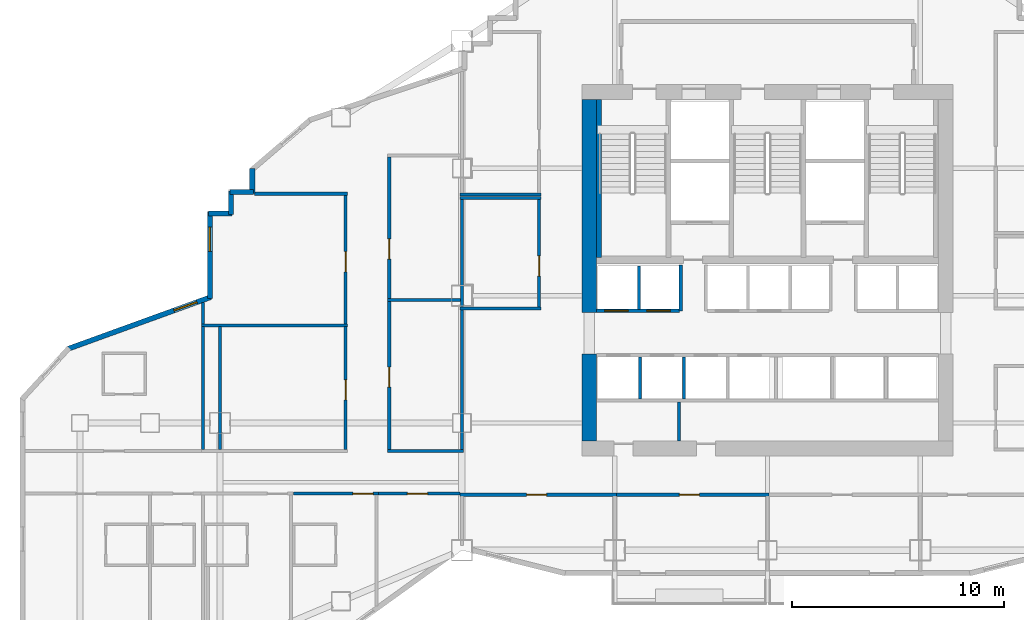
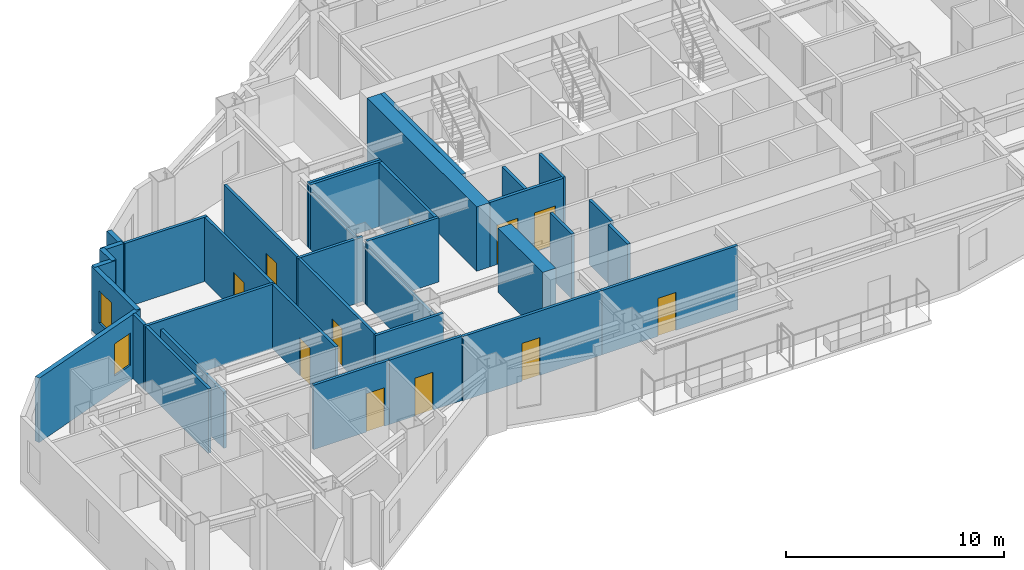
# One storey, part 6 of 14: 36 walls, 11 doors, 2 windows, 13 openings.
"""IFC4 building model written with IfcOpenShell, lengths in metres."""

from ifc_helpers import new_model, si_unit, direction, frame, frame_2d, origin, place, context, subcontext, project, spatial, rectangle, extrude, material, layer, layer_set, type_object, element, fill, save


model = new_model("IFC4")

# Units and contexts
model_context = context("Model", 3, precision=1e-05, world=origin(), true_north=direction((0.0, 1.0)))
body_context = subcontext(model_context, "Body", "Model", "MODEL_VIEW")
ifc_project = project(units=[si_unit("LENGTHUNIT", "METRE"), si_unit("AREAUNIT", "SQUARE_METRE"), si_unit("VOLUMEUNIT", "CUBIC_METRE"), si_unit("PLANEANGLEUNIT", "RADIAN"), si_unit("MASSUNIT", "GRAM", prefix="KILO")], contexts=[model_context])

# Site, building, storey
site_placement = place(None, origin())
site = spatial("IfcSite", under=ifc_project, at=site_placement, CompositionType="ELEMENT")
building_placement = place(site_placement, origin())
building = spatial("IfcBuilding", under=site, at=building_placement, Name="Haolan Belvedere Tower", CompositionType="ELEMENT")
storey_placement = place(building_placement, frame((0.0, 0.0, 98.39990234375)))
storey = spatial("IfcBuildingStorey", under=building, at=storey_placement, Name="L24", CompositionType="ELEMENT", Elevation=98.39990234375)

# Walls
ifc_material_1 = material(Name="Concrete C60/75", Category="concrete")
ifc_layer_1 = layer(ifc_material_1, 0.699951171875, Name="Concrete C60/75")
ifc_layer_set_1 = layer_set([ifc_layer_1], Name="Concrete C60/75")
wall_type_1 = type_object("IfcWallType", Name="WL-CORE-700", PredefinedType="SHEAR", material=ifc_layer_set_1)
wall_1_placement = place(storey_placement, frame((30.0, 26.75, 0.0), z_axis=(0.0, 0.0, 1.0), x_axis=(0.0, 1.0, 0.0)))
element("IfcWall", 1, at=wall_1_placement, inside=storey, type_object=wall_type_1, Name="L24 central core shear wall WS", PredefinedType="SHEAR", context=body_context, shape_type="SweptSolid", body=[
    extrude(rectangle(XDim=4.10009765625, YDim=0.699951171875, at=frame_2d((2.050048828125, 0.0))), origin(), (0.0, 0.0, 1.0), 3.60009765625),
])
wall_2_placement = place(storey_placement, frame((30.0, 32.800048828125, 0.0), z_axis=(0.0, 0.0, 1.0), x_axis=(0.0, 1.0, 0.0)))
element("IfcWall", 2, at=wall_2_placement, inside=storey, type_object=wall_type_1, Name="L24 central core shear wall WN", PredefinedType="SHEAR", context=body_context, shape_type="SweptSolid", body=[
    extrude(rectangle(XDim=10.050048828125, YDim=0.699951171875, at=frame_2d((5.02490234375, 0.0))), origin(), (0.0, 0.0, 1.0), 3.60009765625),
])
ifc_material_2 = material(Name="Precast concrete C40/50", Category="concrete")
ifc_layer_2 = layer(ifc_material_2, 0.239990234375, Name="Precast concrete C40/50")
ifc_layer_set_2 = layer_set([ifc_layer_2], Name="Precast concrete C40/50")
wall_type_2 = type_object("IfcWallType", Name="WL-EXT-240", PredefinedType="SOLIDWALL", material=ifc_layer_set_2)
wall_3_placement = place(storey_placement, frame((14.1201171875, 39.599853515625, 0.0), z_axis=(0.0, 0.0, 1.0), x_axis=(0.0, -1.0, 0.0)))
element("IfcWall", 3, at=wall_3_placement, inside=storey, type_object=wall_type_2, Name="L24 pale-metal exterior spandrel wall 37.1", PredefinedType="SOLIDWALL", context=body_context, shape_type="SweptSolid", body=[
    extrude(rectangle(XDim=1.1748046875, YDim=0.239990234375, at=frame_2d((0.58740234375, 0.0))), origin(), (0.0, 0.0, 1.0), 3.60009765625),
])
wall_4_placement = place(storey_placement, frame((14.175048828125, 38.47998046875, 0.0), z_axis=(0.0, 0.0, 1.0), x_axis=(-1.0, 0.0, 0.0)))
element("IfcWall", 4, at=wall_4_placement, inside=storey, type_object=wall_type_2, Name="L24 pale-metal exterior spandrel wall 38.1", PredefinedType="SOLIDWALL", context=body_context, shape_type="SweptSolid", body=[
    extrude(rectangle(XDim=1.110107421875, YDim=0.239990234375, at=frame_2d((0.55517578125, 0.0))), origin(), (0.0, 0.0, 1.0), 3.60009765625),
])
wall_5_placement = place(storey_placement, frame((13.1201171875, 38.534912109375, 0.0), z_axis=(0.0, 0.0, 1.0), x_axis=(0.0, -1.0, 0.0)))
element("IfcWall", 5, at=wall_5_placement, inside=storey, type_object=wall_type_2, Name="L24 pale-metal exterior spandrel wall 39.1", PredefinedType="SOLIDWALL", context=body_context, shape_type="SweptSolid", body=[
    extrude(rectangle(XDim=1.10986328125, YDim=0.239990234375, at=frame_2d((0.554931640625, 0.0))), origin(), (0.0, 0.0, 1.0), 3.60009765625),
])
wall_6_placement = place(storey_placement, frame((13.175048828125, 37.47998046875, 0.0), z_axis=(0.0, 0.0, 1.0), x_axis=(-1.0, 0.0, 0.0)))
element("IfcWall", 6, at=wall_6_placement, inside=storey, type_object=wall_type_2, Name="L24 pale-metal exterior spandrel wall 40.1", PredefinedType="SOLIDWALL", context=body_context, shape_type="SweptSolid", body=[
    extrude(rectangle(XDim=1.110107421875, YDim=0.239990234375, at=frame_2d((0.55517578125, 0.0))), origin(), (0.0, 0.0, 1.0), 3.60009765625),
])

# Wall, opening, window
wall_7_placement = place(storey_placement, frame((12.1201171875, 37.534912109375, 0.0), z_axis=(0.0, 0.0, 1.0), x_axis=(0.0, -1.0, 0.0)))
wall_7 = element("IfcWall", 7, at=wall_7_placement, inside=storey, type_object=wall_type_2, Name="L24 pale-metal exterior spandrel wall 41.1", PredefinedType="SOLIDWALL", context=body_context, shape_type="SweptSolid", body=[
    extrude(rectangle(XDim=4.073974609375, YDim=0.239990234375, at=frame_2d((2.037109375, 0.0))), origin(), (0.0, 0.0, 1.0), 3.60009765625),
])
opening_1_placement = place(wall_7_placement, frame((0.699951171875, 0.0, 0.85009765625)))
opening_1 = element("IfcOpeningElement", 8, at=opening_1_placement, cuts=wall_7, Name="Opening W-02", PredefinedType="OPENING", context=body_context, shape_type="SweptSolid", body=[
    extrude(rectangle(XDim=1.14990234375, YDim=1.800048828125, at=frame_2d((0.574951171875, 0.89990234375))), frame((0.0, 0.1298828125, 0.0), z_axis=(0.0, -1.0, 0.0), x_axis=(1.0, 0.0, 0.0)), (0.0, 0.0, 1.0), 0.260009765625),
])
ifc_material_3 = material(Name="Anodised aluminium 6063-T6 and Low-E glass", Category="aluminium")
window_type = type_object("IfcWindowType", Name="WN-DECO-Z2", PartitioningType="SINGLE_PANEL", PredefinedType="WINDOW", material=ifc_material_3)
window_1_placement = place(opening_1_placement, origin())
window_1 = element("IfcWindow", 9, at=window_1_placement, inside=storey, type_object=window_type, Name="L24 Art Deco chevron window 1", OverallHeight=1.800048828125, OverallWidth=1.14990234375, PartitioningType="SINGLE_PANEL", PredefinedType="WINDOW", context=body_context, shape_type="SweptSolid", body=[
    extrude(rectangle(XDim=1.14990234375, YDim=1.800048828125, at=frame_2d((0.574951171875, 0.89990234375))), frame((0.0, 0.030029296875, 0.0), z_axis=(0.0, -1.0, 0.0), x_axis=(1.0, 0.0, 0.0)), (0.0, 0.0, 1.0), 0.06005859375),
])
fill(opening_1, window_1)

wall_8_placement = place(storey_placement, frame((12.171630859375, 33.53466796875, 0.0), z_axis=(0.0, 0.0, 1.0), x_axis=(-0.940125345433, -0.340828893836, 0.0)))
wall_8 = element("IfcWall", 10, at=wall_8_placement, inside=storey, type_object=wall_type_2, Name="L24 pale-metal exterior spandrel wall 42.1", PredefinedType="SOLIDWALL", context=body_context, shape_type="SweptSolid", body=[
    extrude(rectangle(XDim=7.2060546875, YDim=0.239990234375, at=frame_2d((3.60302734375, 0.0))), origin(), (0.0, 0.0, 1.0), 3.60009765625),
])
opening_2_placement = place(wall_8_placement, frame((0.699951171875, 0.0, 0.85009765625)))
opening_2 = element("IfcOpeningElement", 11, at=opening_2_placement, cuts=wall_8, Name="Opening W-02", PredefinedType="OPENING", context=body_context, shape_type="SweptSolid", body=[
    extrude(rectangle(XDim=1.14990234375, YDim=1.800048828125, at=frame_2d((0.574951171875, 0.89990234375))), frame((0.0, 0.1298828125, 0.0), z_axis=(0.0, -1.0, 0.0), x_axis=(1.0, 0.0, 0.0)), (0.0, 0.0, 1.0), 0.260009765625),
])
window_2_placement = place(opening_2_placement, origin())
window_2 = element("IfcWindow", 12, at=window_2_placement, inside=storey, type_object=window_type, Name="L24 Art Deco chevron window 1", OverallHeight=1.800048828125, OverallWidth=1.14990234375, PartitioningType="SINGLE_PANEL", PredefinedType="WINDOW", context=body_context, shape_type="SweptSolid", body=[
    extrude(rectangle(XDim=1.14990234375, YDim=1.800048828125, at=frame_2d((0.574951171875, 0.89990234375))), frame((0.0, 0.030029296875, 0.0), z_axis=(0.0, -1.0, 0.0), x_axis=(1.0, 0.0, 0.0)), (0.0, 0.0, 1.0), 0.06005859375),
])
fill(opening_2, window_2)

# Walls
ifc_material_4 = material(Name="Double gypsum acoustic stud partition", Category="masonry")
ifc_layer_3 = layer(ifc_material_4, 0.14990234375, Name="Double gypsum acoustic stud partition")
ifc_layer_set_3 = layer_set([ifc_layer_3], Name="Double gypsum acoustic stud partition")
wall_type_3 = type_object("IfcWallType", Name="WL-PART-150", PredefinedType="PARTITIONING", material=ifc_layer_set_3)
wall_9_placement = place(storey_placement, frame((34.22998046875, 26.760009765625, 0.0), z_axis=(0.0, 0.0, 1.0), x_axis=(0.0, 1.0, 0.0)))
element("IfcWall", 13, at=wall_9_placement, inside=storey, type_object=wall_type_3, Name="L24 interior partition IW-L24-SCV-DIV-1", PredefinedType="PARTITIONING", context=body_context, shape_type="SweptSolid", body=[
    extrude(rectangle(XDim=1.820068359375, YDim=0.14990234375, at=frame_2d((0.91015625, 0.0))), origin(), (0.0, 0.0, 1.0), 3.60009765625),
])
for number, where, z_axis, x_axis, name in (
    (14, (23.919921875, 38.199951171875, 0.0), (0.0, 0.0, 1.0), (1.0, 0.0, 0.0), "L24 interior partition IW-L24-HSK-N"),
    (15, (23.919921875, 33.0, 0.0), (0.0, 0.0, 1.0), (1.0, 0.0, 0.0), "L24 interior partition IW-L24-HSK-S"),
):
    element("IfcWall", number, at=place(storey_placement, frame(where, z_axis=z_axis, x_axis=x_axis)), inside=storey, type_object=wall_type_3, Name=name, PredefinedType="PARTITIONING", context=body_context, shape_type="SweptSolid", body=[
        extrude(rectangle(XDim=3.800048828125, YDim=0.14990234375, at=frame_2d((1.89990234375, 0.0))), origin(), (0.0, 0.0, 1.0), 3.60009765625),
    ])
wall_10_placement = place(storey_placement, frame((24.0, 33.06005859375, 0.0), z_axis=(0.0, 0.0, 1.0), x_axis=(0.0, 1.0, 0.0)))
element("IfcWall", 16, at=wall_10_placement, inside=storey, type_object=wall_type_3, Name="L24 interior partition IW-L24-HSK-W", PredefinedType="PARTITIONING", context=body_context, shape_type="SweptSolid", body=[
    extrude(rectangle(XDim=5.079833984375, YDim=0.14990234375, at=frame_2d((2.5400390625, 0.0))), origin(), (0.0, 0.0, 1.0), 3.14501953125),
])

# Wall, opening, door
wall_11_placement = place(storey_placement, frame((27.639892578125, 33.06005859375, 0.0), z_axis=(0.0, 0.0, 1.0), x_axis=(0.0, 1.0, 0.0)))
wall_11 = element("IfcWall", 17, at=wall_11_placement, inside=storey, type_object=wall_type_3, Name="L24 interior partition IW-L24-HSK-E", PredefinedType="PARTITIONING", context=body_context, shape_type="SweptSolid", body=[
    extrude(rectangle(XDim=5.079833984375, YDim=0.14990234375, at=frame_2d((2.5400390625, 0.0))), origin(), (0.0, 0.0, 1.0), 3.60009765625),
])
opening_3_placement = place(wall_11_placement, frame((2.409912109375, 0.0, 0.0), z_axis=(0.0, 0.0, 1.0), x_axis=(-1.0, 0.0, 0.0)))
opening_3 = element("IfcOpeningElement", 18, at=opening_3_placement, cuts=wall_11, Name="Opening ID-03", PredefinedType="OPENING", context=body_context, shape_type="SweptSolid", body=[
    extrude(rectangle(XDim=0.949951171875, YDim=2.1201171875, at=frame_2d((0.47509765625, 1.06005859375))), frame((0.0, 0.0849609375, 0.0), z_axis=(0.0, -1.0, 0.0), x_axis=(1.0, 0.0, 0.0)), (0.0, 0.0, 1.0), 0.169921875),
])
ifc_material_5 = material(Name="Painted solid-core timber", Category="wood")
door_type_1 = type_object("IfcDoorType", Name="DR-INT-950", OperationType="NOTDEFINED", PredefinedType="DOOR", material=ifc_material_5)
door_1_placement = place(opening_3_placement, origin())
door_1 = element("IfcDoor", 19, at=door_1_placement, inside=storey, type_object=door_type_1, Name="L24 door ID-L24-HSK", OperationType="SINGLE_SWING_LEFT", OverallHeight=2.1201171875, OverallWidth=0.949951171875, PredefinedType="DOOR", context=body_context, shape_type="SweptSolid", body=[
    extrude(rectangle(XDim=0.949951171875, YDim=2.1201171875, at=frame_2d((0.47509765625, 1.06005859375))), frame((0.0, 0.02490234375, 0.0), z_axis=(0.0, -1.0, 0.0), x_axis=(1.0, 0.0, 0.0)), (0.0, 0.0, 1.0), 0.050048828125),
])
fill(opening_3, door_1)

# Wall
wall_12_placement = place(storey_placement, frame((23.919921875, 38.360107421875, 0.0), z_axis=(0.0, 0.0, 1.0), x_axis=(1.0, 0.0, 0.0)))
element("IfcWall", 20, at=wall_12_placement, inside=storey, type_object=wall_type_3, Name="L24 interior partition IW-L24-VLT-S", PredefinedType="PARTITIONING", context=body_context, shape_type="SweptSolid", body=[
    extrude(rectangle(XDim=3.800048828125, YDim=0.14990234375, at=frame_2d((1.89990234375, 0.0))), origin(), (0.0, 0.0, 1.0), 3.60009765625),
])

# Wall, opening, door
wall_13_placement = place(storey_placement, frame((23.919921875, 24.219970703125, 0.0), z_axis=(0.0, 0.0, 1.0), x_axis=(1.0, 0.0, 0.0)))
wall_13 = element("IfcWall", 21, at=wall_13_placement, inside=storey, type_object=wall_type_3, Name="L24 interior partition IW-L24-KS1-N", PredefinedType="PARTITIONING", context=body_context, shape_type="SweptSolid", body=[
    extrude(rectangle(XDim=7.360107421875, YDim=0.14990234375, at=frame_2d((3.68017578125, 0.0))), origin(), (0.0, 0.0, 1.0), 3.60009765625),
])
opening_4_placement = place(wall_13_placement, frame((4.074951171875, 0.0, 0.0), z_axis=(0.0, 0.0, 1.0), x_axis=(-1.0, 0.0, 0.0)))
opening_4 = element("IfcOpeningElement", 22, at=opening_4_placement, cuts=wall_13, Name="Opening ID-03", PredefinedType="OPENING", context=body_context, shape_type="SweptSolid", body=[
    extrude(rectangle(XDim=0.949951171875, YDim=2.1201171875, at=frame_2d((0.47509765625, 1.06005859375))), frame((0.0, 0.0849609375, 0.0), z_axis=(0.0, -1.0, 0.0), x_axis=(1.0, 0.0, 0.0)), (0.0, 0.0, 1.0), 0.169921875),
])
door_2_placement = place(opening_4_placement, origin())
door_2 = element("IfcDoor", 23, at=door_2_placement, inside=storey, type_object=door_type_1, Name="L24 door ID-L24-KS1", OperationType="SINGLE_SWING_RIGHT", OverallHeight=2.1201171875, OverallWidth=0.949951171875, PredefinedType="DOOR", context=body_context, shape_type="SweptSolid", body=[
    extrude(rectangle(XDim=0.949951171875, YDim=2.1201171875, at=frame_2d((0.47509765625, 1.06005859375))), frame((0.0, 0.02490234375, 0.0), z_axis=(0.0, -1.0, 0.0), x_axis=(1.0, 0.0, 0.0)), (0.0, 0.0, 1.0), 0.050048828125),
])
fill(opening_4, door_2)

wall_14_placement = place(storey_placement, frame((31.281982421875, 24.219970703125, 0.0), z_axis=(0.0, 0.0, 1.0), x_axis=(1.0, 0.0, 0.0)))
wall_14 = element("IfcWall", 24, at=wall_14_placement, inside=storey, type_object=wall_type_3, Name="L24 interior partition IW-L24-KS2-N", PredefinedType="PARTITIONING", context=body_context, shape_type="SweptSolid", body=[
    extrude(rectangle(XDim=7.197998046875, YDim=0.14990234375, at=frame_2d((3.59912109375, 0.0))), origin(), (0.0, 0.0, 1.0), 3.60009765625),
])
opening_5_placement = place(wall_14_placement, frame((3.912841796875, 0.0, 0.0), z_axis=(0.0, 0.0, 1.0), x_axis=(-1.0, 0.0, 0.0)))
opening_5 = element("IfcOpeningElement", 25, at=opening_5_placement, cuts=wall_14, Name="Opening ID-03", PredefinedType="OPENING", context=body_context, shape_type="SweptSolid", body=[
    extrude(rectangle(XDim=0.949951171875, YDim=2.1201171875, at=frame_2d((0.47509765625, 1.06005859375))), frame((0.0, 0.0849609375, 0.0), z_axis=(0.0, -1.0, 0.0), x_axis=(1.0, 0.0, 0.0)), (0.0, 0.0, 1.0), 0.169921875),
])
door_3_placement = place(opening_5_placement, origin())
door_3 = element("IfcDoor", 26, at=door_3_placement, inside=storey, type_object=door_type_1, Name="L24 door ID-L24-KS2", OperationType="SINGLE_SWING_LEFT", OverallHeight=2.1201171875, OverallWidth=0.949951171875, PredefinedType="DOOR", context=body_context, shape_type="SweptSolid", body=[
    extrude(rectangle(XDim=0.949951171875, YDim=2.1201171875, at=frame_2d((0.47509765625, 1.06005859375))), frame((0.0, 0.02490234375, 0.0), z_axis=(0.0, -1.0, 0.0), x_axis=(1.0, 0.0, 0.0)), (0.0, 0.0, 1.0), 0.050048828125),
])
fill(opening_5, door_3)

# Walls
wall_15_placement = place(storey_placement, frame((11.719970703125, 32.199951171875, 0.0), z_axis=(0.0, 0.0, 1.0), x_axis=(1.0, 0.0, 0.0)))
element("IfcWall", 27, at=wall_15_placement, inside=storey, type_object=wall_type_3, Name="L24 interior partition IW-L24-T2W1-N", PredefinedType="PARTITIONING", context=body_context, shape_type="SweptSolid", body=[
    extrude(rectangle(XDim=6.880126953125, YDim=0.14990234375, at=frame_2d((3.43994140625, 0.0))), origin(), (0.0, 0.0, 1.0), 3.60009765625),
])
wall_16_placement = place(storey_placement, frame((11.800048828125, 26.340087890625, 0.0), z_axis=(0.0, 0.0, 1.0), x_axis=(0.0, 1.0, 0.0)))
element("IfcWall", 28, at=wall_16_placement, inside=storey, type_object=wall_type_3, Name="L24 interior partition IW-L24-T2W1-W", PredefinedType="PARTITIONING", context=body_context, shape_type="SweptSolid", body=[
    extrude(rectangle(XDim=5.7998046875, YDim=0.14990234375, at=frame_2d((2.89990234375, 0.0))), origin(), (0.0, 0.0, 1.0), 3.60009765625),
])

# Wall, opening, door
wall_17_placement = place(storey_placement, frame((18.52001953125, 26.340087890625, 0.0), z_axis=(0.0, 0.0, 1.0), x_axis=(0.0, 1.0, 0.0)))
wall_17 = element("IfcWall", 29, at=wall_17_placement, inside=storey, type_object=wall_type_3, Name="L24 interior partition IW-L24-T2W1-E", PredefinedType="PARTITIONING", context=body_context, shape_type="SweptSolid", body=[
    extrude(rectangle(XDim=5.7998046875, YDim=0.14990234375, at=frame_2d((2.89990234375, 0.0))), origin(), (0.0, 0.0, 1.0), 3.60009765625),
])
opening_6_placement = place(wall_17_placement, frame((3.294921875, 0.0, 0.0), z_axis=(0.0, 0.0, 1.0), x_axis=(-1.0, 0.0, 0.0)))
opening_6 = element("IfcOpeningElement", 30, at=opening_6_placement, cuts=wall_17, Name="Opening ID-03", PredefinedType="OPENING", context=body_context, shape_type="SweptSolid", body=[
    extrude(rectangle(XDim=0.949951171875, YDim=2.1201171875, at=frame_2d((0.47509765625, 1.06005859375))), frame((0.0, 0.0849609375, 0.0), z_axis=(0.0, -1.0, 0.0), x_axis=(1.0, 0.0, 0.0)), (0.0, 0.0, 1.0), 0.169921875),
])
door_4_placement = place(opening_6_placement, origin())
door_4 = element("IfcDoor", 31, at=door_4_placement, inside=storey, type_object=door_type_1, Name="L24 door ID-L24-T2W1", OperationType="SINGLE_SWING_RIGHT", OverallHeight=2.1201171875, OverallWidth=0.949951171875, PredefinedType="DOOR", context=body_context, shape_type="SweptSolid", body=[
    extrude(rectangle(XDim=0.949951171875, YDim=2.1201171875, at=frame_2d((0.47509765625, 1.06005859375))), frame((0.0, 0.02490234375, 0.0), z_axis=(0.0, -1.0, 0.0), x_axis=(1.0, 0.0, 0.0)), (0.0, 0.0, 1.0), 0.050048828125),
])
fill(opening_6, door_4)

# Walls
wall_18_placement = place(storey_placement, frame((14.22509765625, 38.39990234375, 0.0), z_axis=(0.0, 0.0, 1.0), x_axis=(1.0, 0.0, 0.0)))
element("IfcWall", 32, at=wall_18_placement, inside=storey, type_object=wall_type_3, Name="L24 interior partition IW-L24-T2W2-N", PredefinedType="PARTITIONING", context=body_context, shape_type="SweptSolid", body=[
    extrude(rectangle(XDim=4.375, YDim=0.14990234375, at=frame_2d((2.1875, 0.0))), origin(), (0.0, 0.0, 1.0), 3.60009765625),
])
wall_19_placement = place(storey_placement, frame((11.800048828125, 32.260009765625, 0.0), z_axis=(0.0, 0.0, 1.0), x_axis=(0.0, 1.0, 0.0)))
element("IfcWall", 33, at=wall_19_placement, inside=storey, type_object=wall_type_3, Name="L24 interior partition IW-L24-T2W2-W", PredefinedType="PARTITIONING", context=body_context, shape_type="SweptSolid", body=[
    extrude(rectangle(XDim=1.028076171875, YDim=0.14990234375, at=frame_2d((0.51416015625, 0.0))), origin(), (0.0, 0.0, 1.0), 3.60009765625),
])

# Wall, opening, door
wall_20_placement = place(storey_placement, frame((18.52001953125, 32.260009765625, 0.0), z_axis=(0.0, 0.0, 1.0), x_axis=(0.0, 1.0, 0.0)))
wall_20 = element("IfcWall", 34, at=wall_20_placement, inside=storey, type_object=wall_type_3, Name="L24 interior partition IW-L24-T2W2-E", PredefinedType="PARTITIONING", context=body_context, shape_type="SweptSolid", body=[
    extrude(rectangle(XDim=6.080078125, YDim=0.14990234375, at=frame_2d((3.0400390625, 0.0))), origin(), (0.0, 0.0, 1.0), 3.60009765625),
])
opening_7_placement = place(wall_20_placement, frame((3.4150390625, 0.0, 0.0), z_axis=(0.0, 0.0, 1.0), x_axis=(-1.0, 0.0, 0.0)))
opening_7 = element("IfcOpeningElement", 35, at=opening_7_placement, cuts=wall_20, Name="Opening ID-03", PredefinedType="OPENING", context=body_context, shape_type="SweptSolid", body=[
    extrude(rectangle(XDim=0.949951171875, YDim=2.1201171875, at=frame_2d((0.47509765625, 1.06005859375))), frame((0.0, 0.0849609375, 0.0), z_axis=(0.0, -1.0, 0.0), x_axis=(1.0, 0.0, 0.0)), (0.0, 0.0, 1.0), 0.169921875),
])
door_5_placement = place(opening_7_placement, origin())
door_5 = element("IfcDoor", 36, at=door_5_placement, inside=storey, type_object=door_type_1, Name="L24 door ID-L24-T2W2", OperationType="SINGLE_SWING_LEFT", OverallHeight=2.1201171875, OverallWidth=0.949951171875, PredefinedType="DOOR", context=body_context, shape_type="SweptSolid", body=[
    extrude(rectangle(XDim=0.949951171875, YDim=2.1201171875, at=frame_2d((0.47509765625, 1.06005859375))), frame((0.0, 0.02490234375, 0.0), z_axis=(0.0, -1.0, 0.0), x_axis=(1.0, 0.0, 0.0)), (0.0, 0.0, 1.0), 0.050048828125),
])
fill(opening_7, door_5)

# Walls
wall_21_placement = place(storey_placement, frame((20.5, 33.39990234375, 0.0), z_axis=(0.0, 0.0, 1.0), x_axis=(1.0, 0.0, 0.0)))
element("IfcWall", 37, at=wall_21_placement, inside=storey, type_object=wall_type_3, Name="L24 interior partition IW-L24-T2E1-N", PredefinedType="PARTITIONING", context=body_context, shape_type="SweptSolid", body=[
    extrude(rectangle(XDim=3.43994140625, YDim=0.14990234375, at=frame_2d((1.719970703125, 0.0))), origin(), (0.0, 0.0, 1.0), 3.60009765625),
])
wall_22_placement = place(storey_placement, frame((20.5, 26.280029296875, 0.0), z_axis=(0.0, 0.0, 1.0), x_axis=(1.0, 0.0, 0.0)))
element("IfcWall", 38, at=wall_22_placement, inside=storey, type_object=wall_type_3, Name="L24 interior partition IW-L24-T2E1-S", PredefinedType="PARTITIONING", context=body_context, shape_type="SweptSolid", body=[
    extrude(rectangle(XDim=3.580078125, YDim=0.14990234375, at=frame_2d((1.7900390625, 0.0))), origin(), (0.0, 0.0, 1.0), 3.60009765625),
])

# Wall, opening, door
wall_23_placement = place(storey_placement, frame((20.580078125, 26.340087890625, 0.0), z_axis=(0.0, 0.0, 1.0), x_axis=(0.0, 1.0, 0.0)))
wall_23 = element("IfcWall", 39, at=wall_23_placement, inside=storey, type_object=wall_type_3, Name="L24 interior partition IW-L24-T2E1-W", PredefinedType="PARTITIONING", context=body_context, shape_type="SweptSolid", body=[
    extrude(rectangle(XDim=7.0, YDim=0.14990234375, at=frame_2d((3.5, 0.0))), origin(), (0.0, 0.0, 1.0), 3.60009765625),
])
opening_8_placement = place(wall_23_placement, frame((2.945068359375, 0.0, 0.0)))
opening_8 = element("IfcOpeningElement", 40, at=opening_8_placement, cuts=wall_23, Name="Opening ID-03", PredefinedType="OPENING", context=body_context, shape_type="SweptSolid", body=[
    extrude(rectangle(XDim=0.949951171875, YDim=2.1201171875, at=frame_2d((0.47509765625, 1.06005859375))), frame((0.0, 0.0849609375, 0.0), z_axis=(0.0, -1.0, 0.0), x_axis=(1.0, 0.0, 0.0)), (0.0, 0.0, 1.0), 0.169921875),
])
door_6_placement = place(opening_8_placement, origin())
door_6 = element("IfcDoor", 41, at=door_6_placement, inside=storey, type_object=door_type_1, Name="L24 door ID-L24-T2E1", OperationType="SINGLE_SWING_LEFT", OverallHeight=2.1201171875, OverallWidth=0.949951171875, PredefinedType="DOOR", context=body_context, shape_type="SweptSolid", body=[
    extrude(rectangle(XDim=0.949951171875, YDim=2.1201171875, at=frame_2d((0.47509765625, 1.06005859375))), frame((0.0, 0.02490234375, 0.0), z_axis=(0.0, -1.0, 0.0), x_axis=(1.0, 0.0, 0.0)), (0.0, 0.0, 1.0), 0.050048828125),
])
fill(opening_8, door_6)

# Wall
wall_24_placement = place(storey_placement, frame((24.0, 26.340087890625, 0.0), z_axis=(0.0, 0.0, 1.0), x_axis=(0.0, 1.0, 0.0)))
element("IfcWall", 42, at=wall_24_placement, inside=storey, type_object=wall_type_3, Name="L24 interior partition IW-L24-T2E1-E", PredefinedType="PARTITIONING", context=body_context, shape_type="SweptSolid", body=[
    extrude(rectangle(XDim=6.599853515625, YDim=0.14990234375, at=frame_2d((3.2998046875, 0.0))), origin(), (0.0, 0.0, 1.0), 3.14501953125),
])

# Wall, opening, door
wall_25_placement = place(storey_placement, frame((20.580078125, 33.4599609375, 0.0), z_axis=(0.0, 0.0, 1.0), x_axis=(0.0, 1.0, 0.0)))
wall_25 = element("IfcWall", 43, at=wall_25_placement, inside=storey, type_object=wall_type_3, Name="L24 interior partition IW-L24-T2E2-W", PredefinedType="PARTITIONING", context=body_context, shape_type="SweptSolid", body=[
    extrude(rectangle(XDim=6.679931640625, YDim=0.14990234375, at=frame_2d((3.33984375, 0.0))), origin(), (0.0, 0.0, 1.0), 3.60009765625),
])
opening_9_placement = place(wall_25_placement, frame((1.864990234375, 0.0, 0.0)))
opening_9 = element("IfcOpeningElement", 44, at=opening_9_placement, cuts=wall_25, Name="Opening ID-03", PredefinedType="OPENING", context=body_context, shape_type="SweptSolid", body=[
    extrude(rectangle(XDim=0.949951171875, YDim=2.1201171875, at=frame_2d((0.47509765625, 1.06005859375))), frame((0.0, 0.0849609375, 0.0), z_axis=(0.0, -1.0, 0.0), x_axis=(1.0, 0.0, 0.0)), (0.0, 0.0, 1.0), 0.169921875),
])
door_7_placement = place(opening_9_placement, origin())
door_7 = element("IfcDoor", 45, at=door_7_placement, inside=storey, type_object=door_type_1, Name="L24 door ID-L24-T2E2", OperationType="SINGLE_SWING_RIGHT", OverallHeight=2.1201171875, OverallWidth=0.949951171875, PredefinedType="DOOR", context=body_context, shape_type="SweptSolid", body=[
    extrude(rectangle(XDim=0.949951171875, YDim=2.1201171875, at=frame_2d((0.47509765625, 1.06005859375))), frame((0.0, 0.02490234375, 0.0), z_axis=(0.0, -1.0, 0.0), x_axis=(1.0, 0.0, 0.0)), (0.0, 0.0, 1.0), 0.050048828125),
])
fill(opening_9, door_7)

wall_26_placement = place(storey_placement, frame((16.052001953125, 24.27001953125, 0.0), z_axis=(0.0, 0.0, 1.0), x_axis=(1.0, 0.0, 0.0)))
wall_26 = element("IfcWall", 46, at=wall_26_placement, inside=storey, type_object=wall_type_3, Name="L24 interior partition IW-L24-T2S2-N", PredefinedType="PARTITIONING", context=body_context, shape_type="SweptSolid", body=[
    extrude(rectangle(XDim=4.01806640625, YDim=0.14990234375, at=frame_2d((2.009033203125, 0.0))), origin(), (0.0, 0.0, 1.0), 3.60009765625),
])
opening_10_placement = place(wall_26_placement, frame((3.759765625, 0.0, 0.0), z_axis=(0.0, 0.0, 1.0), x_axis=(-1.0, 0.0, 0.0)))
opening_10 = element("IfcOpeningElement", 47, at=opening_10_placement, cuts=wall_26, Name="Opening ID-02", PredefinedType="OPENING", context=body_context, shape_type="SweptSolid", body=[
    extrude(rectangle(XDim=0.949951171875, YDim=2.14990234375, at=frame_2d((0.47509765625, 1.074951171875))), frame((0.0, 0.0849609375, 0.0), z_axis=(0.0, -1.0, 0.0), x_axis=(1.0, 0.0, 0.0)), (0.0, 0.0, 1.0), 0.169921875),
])
ifc_material_6 = material(Name="Acoustic oak veneer fire-rated timber", Category="wood")
door_type_2 = type_object("IfcDoorType", Name="DR-GUEST-950", OperationType="NOTDEFINED", PredefinedType="DOOR", material=ifc_material_6)
door_8_placement = place(opening_10_placement, origin())
door_8 = element("IfcDoor", 48, at=door_8_placement, inside=storey, type_object=door_type_2, Name="L24 door ID-L24-T2S2-ENT", OperationType="SINGLE_SWING_RIGHT", OverallHeight=2.14990234375, OverallWidth=0.949951171875, PredefinedType="DOOR", context=body_context, shape_type="SweptSolid", body=[
    extrude(rectangle(XDim=0.949951171875, YDim=2.14990234375, at=frame_2d((0.47509765625, 1.074951171875))), frame((0.0, 0.02490234375, 0.0), z_axis=(0.0, -1.0, 0.0), x_axis=(1.0, 0.0, 0.0)), (0.0, 0.0, 1.0), 0.050048828125),
])
fill(opening_10, door_8)

wall_27_placement = place(storey_placement, frame((20.072021484375, 24.27001953125, 0.0), z_axis=(0.0, 0.0, 1.0), x_axis=(1.0, 0.0, 0.0)))
wall_27 = element("IfcWall", 49, at=wall_27_placement, inside=storey, type_object=wall_type_3, Name="L24 interior partition IW-L24-T2S3-N", PredefinedType="PARTITIONING", context=body_context, shape_type="SweptSolid", body=[
    extrude(rectangle(XDim=3.845947265625, YDim=0.14990234375, at=frame_2d((1.9228515625, 0.0))), origin(), (0.0, 0.0, 1.0), 3.60009765625),
])
opening_11_placement = place(wall_27_placement, frame((2.307861328125, 0.0, 0.0), z_axis=(0.0, 0.0, 1.0), x_axis=(-1.0, 0.0, 0.0)))
opening_11 = element("IfcOpeningElement", 50, at=opening_11_placement, cuts=wall_27, Name="Opening ID-03", PredefinedType="OPENING", context=body_context, shape_type="SweptSolid", body=[
    extrude(rectangle(XDim=0.949951171875, YDim=2.1201171875, at=frame_2d((0.47509765625, 1.06005859375))), frame((0.0, 0.0849609375, 0.0), z_axis=(0.0, -1.0, 0.0), x_axis=(1.0, 0.0, 0.0)), (0.0, 0.0, 1.0), 0.169921875),
])
door_9_placement = place(opening_11_placement, origin())
door_9 = element("IfcDoor", 51, at=door_9_placement, inside=storey, type_object=door_type_1, Name="L24 door ID-L24-T2S3", OperationType="SINGLE_SWING_LEFT", OverallHeight=2.1201171875, OverallWidth=0.949951171875, PredefinedType="DOOR", context=body_context, shape_type="SweptSolid", body=[
    extrude(rectangle(XDim=0.949951171875, YDim=2.1201171875, at=frame_2d((0.47509765625, 1.06005859375))), frame((0.0, 0.02490234375, 0.0), z_axis=(0.0, -1.0, 0.0), x_axis=(1.0, 0.0, 0.0)), (0.0, 0.0, 1.0), 0.050048828125),
])
fill(opening_11, door_9)

# Walls
wall_28_placement = place(storey_placement, frame((12.60009765625, 26.340087890625, 0.0), z_axis=(0.0, 0.0, 1.0), x_axis=(0.0, 1.0, 0.0)))
element("IfcWall", 52, at=wall_28_placement, inside=storey, type_object=wall_type_3, Name="L24 interior partition IW-L24-T1N1-E", PredefinedType="PARTITIONING", context=body_context, shape_type="SweptSolid", body=[
    extrude(rectangle(XDim=5.7998046875, YDim=0.14990234375, at=frame_2d((2.89990234375, 0.0))), origin(), (0.0, 0.0, 1.0), 3.14501953125),
])
ifc_material_7 = material(Name="Gypsum fire shaftwall assembly", Category="masonry")
ifc_layer_4 = layer(ifc_material_7, 0.1650390625, Name="Gypsum fire shaftwall assembly")
ifc_layer_set_4 = layer_set([ifc_layer_4], Name="Gypsum fire shaftwall assembly")
wall_type_4 = type_object("IfcWallType", Name="WL-SHAFT-160", PredefinedType="SOLIDWALL", material=ifc_layer_set_4)
wall_29_placement = place(storey_placement, frame((34.31005859375, 32.8798828125, 0.0), z_axis=(0.0, 0.0, 1.0), x_axis=(0.0, 1.0, 0.0)))
element("IfcWall", 53, at=wall_29_placement, inside=storey, type_object=wall_type_4, Name="L24 interior partition IW-L24-SVP-W-SV1", PredefinedType="SOLIDWALL", context=body_context, shape_type="SweptSolid", body=[
    extrude(rectangle(XDim=2.170166015625, YDim=0.14990234375, at=frame_2d((1.0849609375, 0.0))), origin(), (0.0, 0.0, 1.0), 3.60009765625),
])

# Wall, openings, doors
wall_30_placement = place(storey_placement, frame((30.35009765625, 32.8798828125, 0.0), z_axis=(0.0, 0.0, 1.0), x_axis=(1.0, 0.0, 0.0)))
wall_30 = element("IfcWall", 54, at=wall_30_placement, inside=storey, type_object=wall_type_4, Name="L24 interior partition IW-L24-ROW-PN1", PredefinedType="SOLIDWALL", context=body_context, shape_type="SweptSolid", body=[
    extrude(rectangle(XDim=3.89990234375, YDim=0.159912109375, at=frame_2d((1.949951171875, 0.0))), origin(), (0.0, 0.0, 1.0), 3.60009765625),
])
opening_12_placement = place(wall_30_placement, frame((1.47998046875, 0.0, 0.0), z_axis=(0.0, 0.0, 1.0), x_axis=(-1.0, 0.0, 0.0)))
opening_12 = element("IfcOpeningElement", 55, at=opening_12_placement, cuts=wall_30, Name="Opening LD-01", PredefinedType="OPENING", context=body_context, shape_type="SweptSolid", body=[
    extrude(rectangle(XDim=1.10009765625, YDim=2.199951171875, at=frame_2d((0.550048828125, 1.10009765625))), frame((0.0, 0.08984375, 0.0), z_axis=(0.0, -1.0, 0.0), x_axis=(1.0, 0.0, 0.0)), (0.0, 0.0, 1.0), 0.179931640625),
])
opening_13_placement = place(wall_30_placement, frame((3.47021484375, 0.0, 0.0), z_axis=(0.0, 0.0, 1.0), x_axis=(-1.0, 0.0, 0.0)))
opening_13 = element("IfcOpeningElement", 56, at=opening_13_placement, cuts=wall_30, Name="Opening LD-01", PredefinedType="OPENING", context=body_context, shape_type="SweptSolid", body=[
    extrude(rectangle(XDim=1.10009765625, YDim=2.199951171875, at=frame_2d((0.550048828125, 1.10009765625))), frame((0.0, 0.08984375, 0.0), z_axis=(0.0, -1.0, 0.0), x_axis=(1.0, 0.0, 0.0)), (0.0, 0.0, 1.0), 0.179931640625),
])
ifc_material_8 = material(Name="Brushed champagne stainless steel 316L", Category="steel")
door_type_3 = type_object("IfcDoorType", Name="DR-LIFT-1100", OperationType="SLIDING_TO_LEFT", PredefinedType="DOOR", material=ifc_material_8)
door_10_placement = place(opening_12_placement, origin())
door_10 = element("IfcDoor", 57, at=door_10_placement, inside=storey, type_object=door_type_3, Name="L24 door ID-L24-LD-PL1", OperationType="SLIDING_TO_LEFT", OverallHeight=2.199951171875, OverallWidth=1.10009765625, PredefinedType="DOOR", context=body_context, shape_type="SweptSolid", body=[
    extrude(rectangle(XDim=1.10009765625, YDim=2.199951171875, at=frame_2d((0.550048828125, 1.10009765625))), frame((0.0, 0.02490234375, 0.0), z_axis=(0.0, -1.0, 0.0), x_axis=(1.0, 0.0, 0.0)), (0.0, 0.0, 1.0), 0.050048828125),
])
fill(opening_12, door_10)
door_11_placement = place(opening_13_placement, origin())
door_11 = element("IfcDoor", 58, at=door_11_placement, inside=storey, type_object=door_type_3, Name="L24 door ID-L24-LD-PL2", OperationType="SLIDING_TO_LEFT", OverallHeight=2.199951171875, OverallWidth=1.10009765625, PredefinedType="DOOR", context=body_context, shape_type="SweptSolid", body=[
    extrude(rectangle(XDim=1.10009765625, YDim=2.199951171875, at=frame_2d((0.550048828125, 1.10009765625))), frame((0.0, 0.02490234375, 0.0), z_axis=(0.0, -1.0, 0.0), x_axis=(1.0, 0.0, 0.0)), (0.0, 0.0, 1.0), 0.050048828125),
])
fill(opening_13, door_11)

# Walls
wall_31_placement = place(storey_placement, frame((32.340087890625, 32.949951171875, 0.0), z_axis=(0.0, 0.0, 1.0), x_axis=(0.0, 1.0, 0.0)))
element("IfcWall", 59, at=wall_31_placement, inside=storey, type_object=wall_type_4, Name="L24 interior partition IW-L24-DIV-PL1", PredefinedType="SOLIDWALL", context=body_context, shape_type="SweptSolid", body=[
    extrude(rectangle(XDim=2.050048828125, YDim=0.14990234375, at=frame_2d((1.02490234375, 0.0))), origin(), (0.0, 0.0, 1.0), 3.60009765625),
])
for number, where, z_axis, x_axis, name in (
    (60, (32.39990234375, 28.735107421875, 0.0), (0.0, 0.0, 1.0), (0.0, 1.0, 0.0), "L24 interior partition IW-L24-DIV-PM1"),
    (61, (34.4599609375, 28.735107421875, 0.0), (0.0, 0.0, 1.0), (0.0, 1.0, 0.0), "L24 interior partition IW-L24-DIV-PM2"),
):
    element("IfcWall", number, at=place(storey_placement, frame(where, z_axis=z_axis, x_axis=x_axis)), inside=storey, type_object=wall_type_4, Name=name, PredefinedType="SOLIDWALL", context=body_context, shape_type="SweptSolid", body=[
        extrude(rectangle(XDim=1.98486328125, YDim=0.14990234375, at=frame_2d((0.992431640625, 0.0))), origin(), (0.0, 0.0, 1.0), 3.60009765625),
    ])
ifc_material_9 = material(Name="Concrete C50/60", Category="concrete")
ifc_layer_5 = layer(ifc_material_9, 0.219970703125, Name="Concrete C50/60")
ifc_layer_set_5 = layer_set([ifc_layer_5], Name="Concrete C50/60")
wall_type_5 = type_object("IfcWallType", Name="WL-STAIR-220", PredefinedType="SHEAR", material=ifc_layer_set_5)
wall_32_placement = place(storey_placement, frame((30.4619140625, 35.389892578125, 0.0), z_axis=(0.0, 0.0, 1.0), x_axis=(0.0, 1.0, 0.0)))
element("IfcWall", 62, at=wall_32_placement, inside=storey, type_object=wall_type_5, Name="L24 structural stair core wall ST1W", PredefinedType="SHEAR", context=body_context, shape_type="SweptSolid", body=[
    extrude(rectangle(XDim=7.460205078125, YDim=0.219970703125, at=frame_2d((3.72998046875, 0.0))), origin(), (0.0, 0.0, 1.0), 3.60009765625),
])

save(model, "model.ifc")
